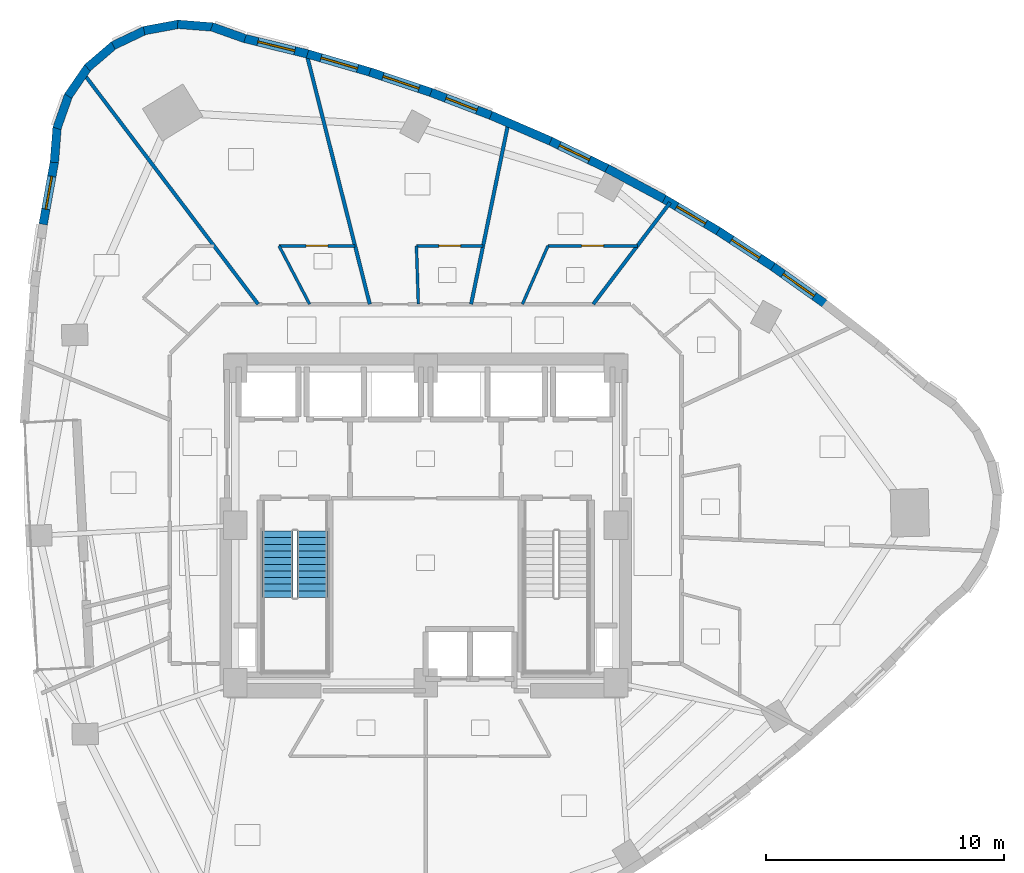
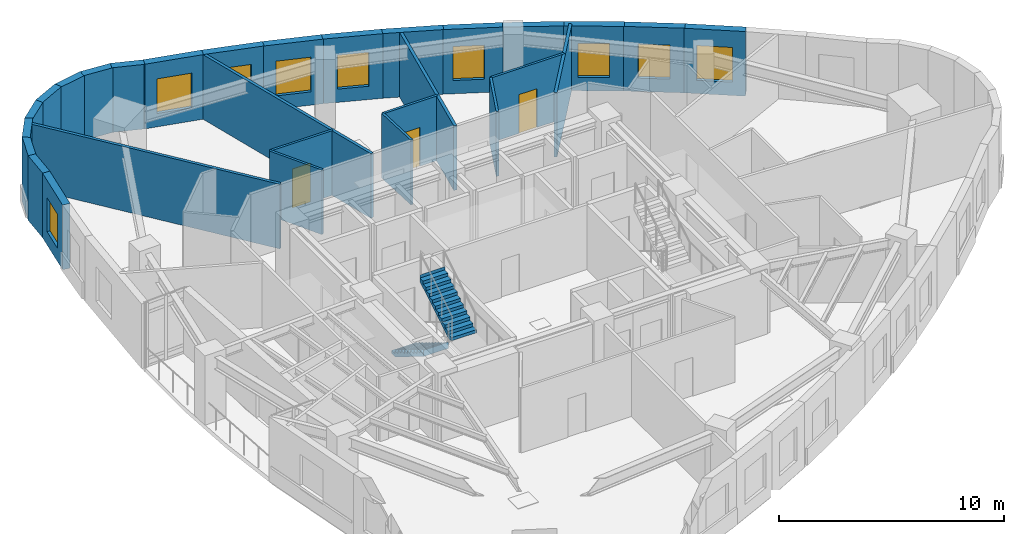
# One storey, part 8 of 12: 29 walls, 9 windows, 3 doors, 2 stair flights, 12 openings, 1 element without a shape of its own.
"""IFC4 building model written with IfcOpenShell, lengths in metres."""

from ifc_helpers import new_model, si_unit, direction, frame, frame_2d, origin, place, context, subcontext, project, spatial, polyline, rectangle, outline, extrude, material, layer, layer_set, type_object, element, fill, aggregate, save


model = new_model("IFC4")

# Units and contexts
model_context = context("Model", 3, precision=1e-05, world=origin(), true_north=direction((0.0, 1.0)))
body_context = subcontext(model_context, "Body", "Model", "MODEL_VIEW")
ifc_project = project(units=[si_unit("LENGTHUNIT", "METRE"), si_unit("AREAUNIT", "SQUARE_METRE"), si_unit("VOLUMEUNIT", "CUBIC_METRE"), si_unit("PLANEANGLEUNIT", "RADIAN"), si_unit("MASSUNIT", "GRAM", prefix="KILO")], contexts=[model_context])

# Site, building, storey
site_placement = place(None, origin())
site = spatial("IfcSite", under=ifc_project, at=site_placement, CompositionType="ELEMENT")
building_placement = place(site_placement, origin())
building = spatial("IfcBuilding", under=site, at=building_placement, Name="Ndelora Gate Hotel", CompositionType="ELEMENT")
storey_placement = place(building_placement, frame((0.0, 0.0, 131.0)))
storey = spatial("IfcBuildingStorey", under=building, at=storey_placement, Name="L32", CompositionType="ELEMENT", Elevation=131.0)

# Walls
ifc_material_1 = material(Name="Clay Brick Masonry", Category="masonry")
ifc_layer_1 = layer(ifc_material_1, 0.360107421875)
ifc_layer_set_1 = layer_set([ifc_layer_1], Name="Clay Brick Masonry")
wall_type_1 = type_object("IfcWallType", Name="WL-BRICK-360", PredefinedType="SOLIDWALL", material=ifc_layer_set_1)
for number, where, z_axis, x_axis, name in (
    (1, (-8.98876953125, 20.9541015625, 0.0), (0.0, 0.0, 1.0), (0.942671384708, -0.33372243025, 0.0), "L32 Tower Brick Pier-and-Spandrel Wall TWR-1"),
    (2, (-10.42138671875, 21.060546875, 0.0), (0.0, 0.0, 1.0), (0.996910688745, -0.078543482647, 0.0), "L32 Tower Brick Pier-and-Spandrel Wall TWR-2"),
):
    element("IfcWall", number, at=place(storey_placement, frame(where, z_axis=z_axis, x_axis=x_axis)), inside=storey, type_object=wall_type_1, Name=name, PredefinedType="SOLIDWALL", context=body_context, shape_type="SweptSolid", body=[
        extrude(rectangle(XDim=1.48583984375, YDim=0.360107421875, at=frame_2d((0.742919921875, 0.0))), origin(), (0.0, 0.0, 1.0), 3.5),
    ])
wall_1_placement = place(storey_placement, frame((-11.8330078125, 20.792236328125, 0.0), z_axis=(0.0, 0.0, 1.0), x_axis=(0.983262389335, 0.182195152844, 0.0)))
element("IfcWall", 3, at=wall_1_placement, inside=storey, type_object=wall_type_1, Name="L32 Tower Brick Pier-and-Spandrel Wall TWR-3", PredefinedType="SOLIDWALL", context=body_context, shape_type="SweptSolid", body=[
    extrude(rectangle(XDim=1.486083984375, YDim=0.360107421875, at=frame_2d((0.7431640625, 0.0))), origin(), (0.0, 0.0, 1.0), 3.5),
])
for number, where, z_axis, x_axis, name in (
    (4, (-13.126708984375, 20.16796875, 0.0), (0.0, 0.0, 1.0), (0.902586982789, 0.430507535938, 0.0), "L32 Tower Brick Pier-and-Spandrel Wall TWR-4"),
    (5, (-14.215087890625, 19.22998046875, 0.0), (0.0, 0.0, 1.0), (0.760461582144, 0.649382924078, 0.0), "L32 Tower Brick Pier-and-Spandrel Wall TWR-5"),
):
    element("IfcWall", number, at=place(storey_placement, frame(where, z_axis=z_axis, x_axis=x_axis)), inside=storey, type_object=wall_type_1, Name=name, PredefinedType="SOLIDWALL", context=body_context, shape_type="SweptSolid", body=[
        extrude(rectangle(XDim=1.48583984375, YDim=0.360107421875, at=frame_2d((0.742919921875, 0.0))), origin(), (0.0, 0.0, 1.0), 3.5),
    ])
wall_2_placement = place(storey_placement, frame((-15.0234375, 18.04248046875, 0.0), z_axis=(0.0, 0.0, 1.0), x_axis=(0.566438155808, 0.824104250472, 0.0)))
element("IfcWall", 6, at=wall_2_placement, inside=storey, type_object=wall_type_1, Name="L32 Tower Brick Pier-and-Spandrel Wall TWR-6", PredefinedType="SOLIDWALL", context=body_context, shape_type="SweptSolid", body=[
    extrude(rectangle(XDim=1.485595703125, YDim=0.360107421875, at=frame_2d((0.74267578125, 0.0))), origin(), (0.0, 0.0, 1.0), 3.5),
])
wall_3_placement = place(storey_placement, frame((-15.496826171875, 16.685791015625, 0.0), z_axis=(0.0, 0.0, 1.0), x_axis=(0.333670746008, 0.942689680254, 0.0)))
element("IfcWall", 7, at=wall_3_placement, inside=storey, type_object=wall_type_1, Name="L32 Tower Brick Pier-and-Spandrel Wall TWR-7", PredefinedType="SOLIDWALL", context=body_context, shape_type="SweptSolid", body=[
    extrude(rectangle(XDim=1.486083984375, YDim=0.360107421875, at=frame_2d((0.7431640625, 0.0))), origin(), (0.0, 0.0, 1.0), 3.5),
])
wall_4_placement = place(storey_placement, frame((-15.60302734375, 15.25341796875, 0.0), z_axis=(0.0, 0.0, 1.0), x_axis=(0.078393018091, 0.996922531952, 0.0)))
element("IfcWall", 8, at=wall_4_placement, inside=storey, type_object=wall_type_1, Name="L32 Tower Brick Pier-and-Spandrel Wall TWR-8", PredefinedType="SOLIDWALL", context=body_context, shape_type="SweptSolid", body=[
    extrude(rectangle(XDim=1.485595703125, YDim=0.360107421875, at=frame_2d((0.74267578125, 0.0))), origin(), (0.0, 0.0, 1.0), 3.5),
])

# Wall, opening, window
wall_5_placement = place(storey_placement, frame((-16.073486328125, 12.65380859375, 0.0), z_axis=(0.0, 0.0, 1.0), x_axis=(0.177152998315, 0.984183323974, 0.0)))
wall_5 = element("IfcWall", 9, at=wall_5_placement, inside=storey, type_object=wall_type_1, Name="L32 Tower Brick Pier-and-Spandrel Wall TWR-9", PredefinedType="SOLIDWALL", context=body_context, shape_type="SweptSolid", body=[
    extrude(rectangle(XDim=2.69140625, YDim=0.360107421875, at=frame_2d((1.345703125, 0.0))), origin(), (0.0, 0.0, 1.0), 3.5),
])
opening_1_placement = place(wall_5_placement, frame((0.64599609375, 0.0, 0.719970703125)))
opening_1 = element("IfcOpeningElement", 10, at=opening_1_placement, cuts=wall_5, Name="Opening W02", PredefinedType="OPENING", context=body_context, shape_type="SweptSolid", body=[
    extrude(rectangle(XDim=1.39990234375, YDim=1.840087890625, at=frame_2d((0.699951171875, 0.919921875))), frame((0.0, 0.18994140625, 0.0), z_axis=(0.0, -1.0, 0.0), x_axis=(1.0, 0.0, 0.0)), (0.0, 0.0, 1.0), 0.380126953125),
])
ifc_material_2 = material(Name="Insulated Low-E Double Glazing in Bronze Aluminium Frame", Category="aluminium")
window_type_1 = type_object("IfcWindowType", Name="WN-DEEP-1400", PartitioningType="SINGLE_PANEL", PredefinedType="WINDOW", material=ifc_material_2)
window_1_placement = place(opening_1_placement, origin())
window_1 = element("IfcWindow", 11, at=window_1_placement, inside=storey, type_object=window_type_1, Name="L32 Deep-Set Brick-Pier Window W02", OverallHeight=1.840087890625, OverallWidth=1.39990234375, PartitioningType="SINGLE_PANEL", PredefinedType="WINDOW", context=body_context, shape_type="SweptSolid", body=[
    extrude(rectangle(XDim=1.39990234375, YDim=1.840087890625, at=frame_2d((0.699951171875, 0.919921875))), frame((0.0, 0.030029296875, 0.0), z_axis=(0.0, -1.0, 0.0), x_axis=(1.0, 0.0, 0.0)), (0.0, 0.0, 1.0), 0.06005859375),
])
fill(opening_1, window_1)

wall_6_placement = place(storey_placement, frame((14.548583984375, 10.905029296875, 0.0), z_axis=(0.0, 0.0, 1.0), x_axis=(0.814510150839, -0.580149303352, 0.0)))
wall_6 = element("IfcWall", 12, at=wall_6_placement, inside=storey, type_object=wall_type_1, Name="L32 Tower Brick Pier-and-Spandrel Wall TWR-49", PredefinedType="SOLIDWALL", context=body_context, shape_type="SweptSolid", body=[
    extrude(rectangle(XDim=2.758544921875, YDim=0.360107421875, at=frame_2d((1.37939453125, 0.0))), origin(), (0.0, 0.0, 1.0), 3.5),
])
opening_2_placement = place(wall_6_placement, frame((0.5791015625, 0.0, 0.719970703125)))
opening_2 = element("IfcOpeningElement", 13, at=opening_2_placement, cuts=wall_6, Name="Opening W03", PredefinedType="OPENING", context=body_context, shape_type="SweptSolid", body=[
    extrude(rectangle(XDim=1.60009765625, YDim=1.8798828125, at=frame_2d((0.800048828125, 0.93994140625))), frame((0.0, 0.18994140625, 0.0), z_axis=(0.0, -1.0, 0.0), x_axis=(1.0, 0.0, 0.0)), (0.0, 0.0, 1.0), 0.380126953125),
])
window_type_2 = type_object("IfcWindowType", Name="WN-CORN-2100", PartitioningType="SINGLE_PANEL", PredefinedType="WINDOW", material=ifc_material_2)
window_2_placement = place(opening_2_placement, origin())
window_2 = element("IfcWindow", 14, at=window_2_placement, inside=storey, type_object=window_type_2, Name="L32 Deep-Set Brick-Pier Window W03", OverallHeight=1.8798828125, OverallWidth=1.60009765625, PartitioningType="SINGLE_PANEL", PredefinedType="WINDOW", context=body_context, shape_type="SweptSolid", body=[
    extrude(rectangle(XDim=1.60009765625, YDim=1.8798828125, at=frame_2d((0.800048828125, 0.93994140625))), frame((0.0, 0.030029296875, 0.0), z_axis=(0.0, -1.0, 0.0), x_axis=(1.0, 0.0, 0.0)), (0.0, 0.0, 1.0), 0.06005859375),
])
fill(opening_2, window_2)

wall_7_placement = place(storey_placement, frame((12.290283203125, 12.3740234375, 0.0), z_axis=(0.0, 0.0, 1.0), x_axis=(0.838077548848, -0.545551117785, 0.0)))
wall_7 = element("IfcWall", 15, at=wall_7_placement, inside=storey, type_object=wall_type_1, Name="L32 Tower Brick Pier-and-Spandrel Wall TWR-50", PredefinedType="SOLIDWALL", context=body_context, shape_type="SweptSolid", body=[
    extrude(rectangle(XDim=2.744140625, YDim=0.360107421875, at=frame_2d((1.3720703125, 0.0))), origin(), (0.0, 0.0, 1.0), 3.5),
])
opening_3_placement = place(wall_7_placement, frame((0.672119140625, 0.0, 0.719970703125)))
opening_3 = element("IfcOpeningElement", 16, at=opening_3_placement, cuts=wall_7, Name="Opening W02", PredefinedType="OPENING", context=body_context, shape_type="SweptSolid", body=[
    extrude(rectangle(XDim=1.39990234375, YDim=1.840087890625, at=frame_2d((0.699951171875, 0.919921875))), frame((0.0, 0.18994140625, 0.0), z_axis=(0.0, -1.0, 0.0), x_axis=(1.0, 0.0, 0.0)), (0.0, 0.0, 1.0), 0.380126953125),
])
window_3_placement = place(opening_3_placement, origin())
window_3 = element("IfcWindow", 17, at=window_3_placement, inside=storey, type_object=window_type_1, Name="L32 Deep-Set Brick-Pier Window W02", OverallHeight=1.840087890625, OverallWidth=1.39990234375, PartitioningType="SINGLE_PANEL", PredefinedType="WINDOW", context=body_context, shape_type="SweptSolid", body=[
    extrude(rectangle(XDim=1.39990234375, YDim=1.840087890625, at=frame_2d((0.699951171875, 0.919921875))), frame((0.0, 0.030029296875, 0.0), z_axis=(0.0, -1.0, 0.0), x_axis=(1.0, 0.0, 0.0)), (0.0, 0.0, 1.0), 0.06005859375),
])
fill(opening_3, window_3)

wall_8_placement = place(storey_placement, frame((9.980224609375, 13.741455078125, 0.0), z_axis=(0.0, 0.0, 1.0), x_axis=(0.860339389624, -0.509721624675, 0.0)))
wall_8 = element("IfcWall", 18, at=wall_8_placement, inside=storey, type_object=wall_type_1, Name="L32 Tower Brick Pier-and-Spandrel Wall TWR-51", PredefinedType="SOLIDWALL", context=body_context, shape_type="SweptSolid", body=[
    extrude(rectangle(XDim=2.734375, YDim=0.360107421875, at=frame_2d((1.3671875, 0.0))), origin(), (0.0, 0.0, 1.0), 3.5),
])
opening_4_placement = place(wall_8_placement, frame((0.667236328125, 0.0, 0.719970703125)))
opening_4 = element("IfcOpeningElement", 19, at=opening_4_placement, cuts=wall_8, Name="Opening W02", PredefinedType="OPENING", context=body_context, shape_type="SweptSolid", body=[
    extrude(rectangle(XDim=1.39990234375, YDim=1.840087890625, at=frame_2d((0.699951171875, 0.919921875))), frame((0.0, 0.18994140625, 0.0), z_axis=(0.0, -1.0, 0.0), x_axis=(1.0, 0.0, 0.0)), (0.0, 0.0, 1.0), 0.380126953125),
])
window_4_placement = place(opening_4_placement, origin())
window_4 = element("IfcWindow", 20, at=window_4_placement, inside=storey, type_object=window_type_1, Name="L32 Deep-Set Brick-Pier Window W02", OverallHeight=1.840087890625, OverallWidth=1.39990234375, PartitioningType="SINGLE_PANEL", PredefinedType="WINDOW", context=body_context, shape_type="SweptSolid", body=[
    extrude(rectangle(XDim=1.39990234375, YDim=1.840087890625, at=frame_2d((0.699951171875, 0.919921875))), frame((0.0, 0.030029296875, 0.0), z_axis=(0.0, -1.0, 0.0), x_axis=(1.0, 0.0, 0.0)), (0.0, 0.0, 1.0), 0.06005859375),
])
fill(opening_4, window_4)

# Wall
wall_9_placement = place(storey_placement, frame((7.61865234375, 15.007568359375, 0.0), z_axis=(0.0, 0.0, 1.0), x_axis=(0.881156632258, -0.472824480572, 0.0)))
element("IfcWall", 21, at=wall_9_placement, inside=storey, type_object=wall_type_1, Name="L32 Tower Brick Pier-and-Spandrel Wall TWR-52", PredefinedType="SOLIDWALL", context=body_context, shape_type="SweptSolid", body=[
    extrude(rectangle(XDim=2.7294921875, YDim=0.360107421875, at=frame_2d((1.36474609375, 0.0))), origin(), (0.0, 0.0, 1.0), 3.5),
])

# Wall, opening, window
wall_10_placement = place(storey_placement, frame((5.205322265625, 16.172119140625, 0.0), z_axis=(0.0, 0.0, 1.0), x_axis=(0.900444136685, -0.434971673458, 0.0)))
wall_10 = element("IfcWall", 22, at=wall_10_placement, inside=storey, type_object=wall_type_1, Name="L32 Tower Brick Pier-and-Spandrel Wall TWR-53", PredefinedType="SOLIDWALL", context=body_context, shape_type="SweptSolid", body=[
    extrude(rectangle(XDim=2.7294921875, YDim=0.360107421875, at=frame_2d((1.36474609375, 0.0))), origin(), (0.0, 0.0, 1.0), 3.5),
])
opening_5_placement = place(wall_10_placement, frame((0.4599609375, 0.0, 0.719970703125)))
opening_5 = element("IfcOpeningElement", 23, at=opening_5_placement, cuts=wall_10, Name="Opening W02", PredefinedType="OPENING", context=body_context, shape_type="SweptSolid", body=[
    extrude(rectangle(XDim=1.39990234375, YDim=1.840087890625, at=frame_2d((0.699951171875, 0.919921875))), frame((0.0, 0.18994140625, 0.0), z_axis=(0.0, -1.0, 0.0), x_axis=(1.0, 0.0, 0.0)), (0.0, 0.0, 1.0), 0.380126953125),
])
window_5_placement = place(opening_5_placement, origin())
window_5 = element("IfcWindow", 24, at=window_5_placement, inside=storey, type_object=window_type_1, Name="L32 Deep-Set Brick-Pier Window W02", OverallHeight=1.840087890625, OverallWidth=1.39990234375, PartitioningType="SINGLE_PANEL", PredefinedType="WINDOW", context=body_context, shape_type="SweptSolid", body=[
    extrude(rectangle(XDim=1.39990234375, YDim=1.840087890625, at=frame_2d((0.699951171875, 0.919921875))), frame((0.0, 0.030029296875, 0.0), z_axis=(0.0, -1.0, 0.0), x_axis=(1.0, 0.0, 0.0)), (0.0, 0.0, 1.0), 0.06005859375),
])
fill(opening_5, window_5)

# Wall
wall_11_placement = place(storey_placement, frame((2.740478515625, 17.235107421875, 0.0), z_axis=(0.0, 0.0, 1.0), x_axis=(0.918107397743, -0.396331687113, 0.0)))
element("IfcWall", 25, at=wall_11_placement, inside=storey, type_object=wall_type_1, Name="L32 Tower Brick Pier-and-Spandrel Wall TWR-54", PredefinedType="SOLIDWALL", context=body_context, shape_type="SweptSolid", body=[
    extrude(rectangle(XDim=2.734375, YDim=0.360107421875, at=frame_2d((1.3671875, 0.0))), origin(), (0.0, 0.0, 1.0), 3.5),
])

# Wall, opening, window
wall_12_placement = place(storey_placement, frame((0.223876953125, 18.19677734375, 0.0), z_axis=(0.0, 0.0, 1.0), x_axis=(0.933979359079, -0.357326960661, 0.0)))
wall_12 = element("IfcWall", 26, at=wall_12_placement, inside=storey, type_object=wall_type_1, Name="L32 Tower Brick Pier-and-Spandrel Wall TWR-55", PredefinedType="SOLIDWALL", context=body_context, shape_type="SweptSolid", body=[
    extrude(rectangle(XDim=2.743896484375, YDim=0.360107421875, at=frame_2d((1.3720703125, 0.0))), origin(), (0.0, 0.0, 1.0), 3.5),
])
opening_6_placement = place(wall_12_placement, frame((0.672119140625, 0.0, 0.719970703125)))
opening_6 = element("IfcOpeningElement", 27, at=opening_6_placement, cuts=wall_12, Name="Opening W02", PredefinedType="OPENING", context=body_context, shape_type="SweptSolid", body=[
    extrude(rectangle(XDim=1.39990234375, YDim=1.840087890625, at=frame_2d((0.699951171875, 0.919921875))), frame((0.0, 0.18994140625, 0.0), z_axis=(0.0, -1.0, 0.0), x_axis=(1.0, 0.0, 0.0)), (0.0, 0.0, 1.0), 0.380126953125),
])
window_6_placement = place(opening_6_placement, origin())
window_6 = element("IfcWindow", 28, at=window_6_placement, inside=storey, type_object=window_type_1, Name="L32 Deep-Set Brick-Pier Window W02", OverallHeight=1.840087890625, OverallWidth=1.39990234375, PartitioningType="SINGLE_PANEL", PredefinedType="WINDOW", context=body_context, shape_type="SweptSolid", body=[
    extrude(rectangle(XDim=1.39990234375, YDim=1.840087890625, at=frame_2d((0.699951171875, 0.919921875))), frame((0.0, 0.030029296875, 0.0), z_axis=(0.0, -1.0, 0.0), x_axis=(1.0, 0.0, 0.0)), (0.0, 0.0, 1.0), 0.06005859375),
])
fill(opening_6, window_6)

wall_13_placement = place(storey_placement, frame((-2.344482421875, 19.056884765625, 0.0), z_axis=(0.0, 0.0, 1.0), x_axis=(0.948124259455, -0.317899966393, 0.0)))
wall_13 = element("IfcWall", 29, at=wall_13_placement, inside=storey, type_object=wall_type_1, Name="L32 Tower Brick Pier-and-Spandrel Wall TWR-56", PredefinedType="SOLIDWALL", context=body_context, shape_type="SweptSolid", body=[
    extrude(rectangle(XDim=2.758544921875, YDim=0.360107421875, at=frame_2d((1.37939453125, 0.0))), origin(), (0.0, 0.0, 1.0), 3.5),
])
opening_7_placement = place(wall_13_placement, frame((0.579345703125, 0.0, 0.719970703125)))
opening_7 = element("IfcOpeningElement", 30, at=opening_7_placement, cuts=wall_13, Name="Opening W01", PredefinedType="OPENING", context=body_context, shape_type="SweptSolid", body=[
    extrude(rectangle(XDim=1.60009765625, YDim=1.8798828125, at=frame_2d((0.800048828125, 0.93994140625))), frame((0.0, 0.18994140625, 0.0), z_axis=(0.0, -1.0, 0.0), x_axis=(1.0, 0.0, 0.0)), (0.0, 0.0, 1.0), 0.380126953125),
])
window_type_3 = type_object("IfcWindowType", Name="WN-DEEP-1600", PartitioningType="SINGLE_PANEL", PredefinedType="WINDOW", material=ifc_material_2)
window_7_placement = place(opening_7_placement, origin())
window_7 = element("IfcWindow", 31, at=window_7_placement, inside=storey, type_object=window_type_3, Name="L32 Deep-Set Brick-Pier Window W01", OverallHeight=1.8798828125, OverallWidth=1.60009765625, PartitioningType="SINGLE_PANEL", PredefinedType="WINDOW", context=body_context, shape_type="SweptSolid", body=[
    extrude(rectangle(XDim=1.60009765625, YDim=1.8798828125, at=frame_2d((0.800048828125, 0.93994140625))), frame((0.0, 0.030029296875, 0.0), z_axis=(0.0, -1.0, 0.0), x_axis=(1.0, 0.0, 0.0)), (0.0, 0.0, 1.0), 0.06005859375),
])
fill(opening_7, window_7)

wall_14_placement = place(storey_placement, frame((-4.96435546875, 19.8154296875, 0.0), z_axis=(0.0, 0.0, 1.0), x_axis=(0.960441835692, -0.278480664056, 0.0)))
wall_14 = element("IfcWall", 32, at=wall_14_placement, inside=storey, type_object=wall_type_1, Name="L32 Tower Brick Pier-and-Spandrel Wall TWR-57", PredefinedType="SOLIDWALL", context=body_context, shape_type="SweptSolid", body=[
    extrude(rectangle(XDim=2.77734375, YDim=0.360107421875, at=frame_2d((1.388671875, 0.0))), origin(), (0.0, 0.0, 1.0), 3.5),
])
opening_8_placement = place(wall_14_placement, frame((0.588623046875, 0.0, 0.719970703125)))
opening_8 = element("IfcOpeningElement", 33, at=opening_8_placement, cuts=wall_14, Name="Opening W03", PredefinedType="OPENING", context=body_context, shape_type="SweptSolid", body=[
    extrude(rectangle(XDim=1.60009765625, YDim=1.8798828125, at=frame_2d((0.800048828125, 0.93994140625))), frame((0.0, 0.18994140625, 0.0), z_axis=(0.0, -1.0, 0.0), x_axis=(1.0, 0.0, 0.0)), (0.0, 0.0, 1.0), 0.380126953125),
])
window_8_placement = place(opening_8_placement, origin())
window_8 = element("IfcWindow", 34, at=window_8_placement, inside=storey, type_object=window_type_2, Name="L32 Deep-Set Brick-Pier Window W03", OverallHeight=1.8798828125, OverallWidth=1.60009765625, PartitioningType="SINGLE_PANEL", PredefinedType="WINDOW", context=body_context, shape_type="SweptSolid", body=[
    extrude(rectangle(XDim=1.60009765625, YDim=1.8798828125, at=frame_2d((0.800048828125, 0.93994140625))), frame((0.0, 0.030029296875, 0.0), z_axis=(0.0, -1.0, 0.0), x_axis=(1.0, 0.0, 0.0)), (0.0, 0.0, 1.0), 0.06005859375),
])
fill(opening_8, window_8)

wall_15_placement = place(storey_placement, frame((-7.635986328125, 20.472412109375, 0.0), z_axis=(0.0, 0.0, 1.0), x_axis=(0.970982505779, -0.239150524716, 0.0)))
wall_15 = element("IfcWall", 35, at=wall_15_placement, inside=storey, type_object=wall_type_1, Name="L32 Tower Brick Pier-and-Spandrel Wall TWR-58", PredefinedType="SOLIDWALL", context=body_context, shape_type="SweptSolid", body=[
    extrude(rectangle(XDim=2.80126953125, YDim=0.360107421875, at=frame_2d((1.400634765625, 0.0))), origin(), (0.0, 0.0, 1.0), 3.5),
])
opening_9_placement = place(wall_15_placement, frame((0.6005859375, 0.0, 0.719970703125)))
opening_9 = element("IfcOpeningElement", 36, at=opening_9_placement, cuts=wall_15, Name="Opening W01", PredefinedType="OPENING", context=body_context, shape_type="SweptSolid", body=[
    extrude(rectangle(XDim=1.60009765625, YDim=1.8798828125, at=frame_2d((0.800048828125, 0.93994140625))), frame((0.0, 0.18994140625, 0.0), z_axis=(0.0, -1.0, 0.0), x_axis=(1.0, 0.0, 0.0)), (0.0, 0.0, 1.0), 0.380126953125),
])
window_9_placement = place(opening_9_placement, origin())
window_9 = element("IfcWindow", 37, at=window_9_placement, inside=storey, type_object=window_type_3, Name="L32 Deep-Set Brick-Pier Window W01", OverallHeight=1.8798828125, OverallWidth=1.60009765625, PartitioningType="SINGLE_PANEL", PredefinedType="WINDOW", context=body_context, shape_type="SweptSolid", body=[
    extrude(rectangle(XDim=1.60009765625, YDim=1.8798828125, at=frame_2d((0.800048828125, 0.93994140625))), frame((0.0, 0.030029296875, 0.0), z_axis=(0.0, -1.0, 0.0), x_axis=(1.0, 0.0, 0.0)), (0.0, 0.0, 1.0), 0.06005859375),
])
fill(opening_9, window_9)

# Walls
ifc_material_3 = material(Name="Fire-Rated Gypsum Stud Partition", Category="gypsum")
ifc_layer_2 = layer(ifc_material_3, 0.14990234375)
ifc_layer_set_2 = layer_set([ifc_layer_2], Name="Fire-Rated Gypsum Stud Partition")
wall_type_2 = type_object("IfcWallType", Name="WL-PART-150", PredefinedType="PARTITIONING", material=ifc_layer_set_2)
wall_16_placement = place(storey_placement, frame((7.040283203125, 9.300048828125, 0.0), z_axis=(0.0, 0.0, 1.0), x_axis=(0.603561778398, 0.797316235667, 0.0)))
element("IfcWall", 38, at=wall_16_placement, inside=storey, type_object=wall_type_2, Name="L32 Interior Wall IW-5", PredefinedType="PARTITIONING", context=body_context, shape_type="SweptSolid", body=[
    extrude(rectangle(XDim=5.35400390625, YDim=0.14990234375, at=frame_2d((2.677001953125, 0.0))), origin(), (0.0, 0.0, 1.0), 3.5),
])
wall_17_placement = place(storey_placement, frame((1.91015625, 9.300048828125, 0.0), z_axis=(0.0, 0.0, 1.0), x_axis=(0.201190538841, 0.97955212576, 0.0)))
element("IfcWall", 39, at=wall_17_placement, inside=storey, type_object=wall_type_2, Name="L32 Interior Wall IW-5", PredefinedType="PARTITIONING", context=body_context, shape_type="SweptSolid", body=[
    extrude(rectangle(XDim=7.777099609375, YDim=0.14990234375, at=frame_2d((3.888671875, 0.0))), origin(), (0.0, 0.0, 1.0), 3.5),
])
wall_18_placement = place(storey_placement, frame((-2.348388671875, 9.300048828125, 0.0), z_axis=(0.0, 0.0, 1.0), x_axis=(-0.244821157428, 0.969568254882, 0.0)))
element("IfcWall", 40, at=wall_18_placement, inside=storey, type_object=wall_type_2, Name="L32 Interior Wall IW-5", PredefinedType="PARTITIONING", context=body_context, shape_type="SweptSolid", body=[
    extrude(rectangle(XDim=10.854736328125, YDim=0.14990234375, at=frame_2d((5.42724609375, 0.0))), origin(), (0.0, 0.0, 1.0), 3.5),
])
wall_19_placement = place(storey_placement, frame((-7.040283203125, 9.300048828125, 0.0), z_axis=(0.0, 0.0, 1.0), x_axis=(-0.603569047372, 0.797310733061, 0.0)))
element("IfcWall", 41, at=wall_19_placement, inside=storey, type_object=wall_type_2, Name="L32 Interior Wall IW-5", PredefinedType="PARTITIONING", context=body_context, shape_type="SweptSolid", body=[
    extrude(rectangle(XDim=12.150146484375, YDim=0.14990234375, at=frame_2d((6.0751953125, 0.0))), origin(), (0.0, 0.0, 1.0), 3.5),
])
ifc_material_4 = material(Name="Moisture-Resistant Bathroom Tile Partition", Category="gypsum")
ifc_layer_3 = layer(ifc_material_4, 0.1201171875)
ifc_layer_set_3 = layer_set([ifc_layer_3], Name="Moisture-Resistant Bathroom Tile Partition")
wall_type_3 = type_object("IfcWallType", Name="WL-WET-120", PredefinedType="PARTITIONING", material=ifc_layer_set_3)
wall_20_placement = place(storey_placement, frame((4.068115234375, 9.300048828125, 0.0), z_axis=(0.0, 0.0, 1.0), x_axis=(0.400794887066, 0.916167811322, 0.0)))
element("IfcWall", 42, at=wall_20_placement, inside=storey, type_object=wall_type_3, Name="L32 Interior Wall IW-7", PredefinedType="PARTITIONING", context=body_context, shape_type="SweptSolid", body=[
    extrude(rectangle(XDim=2.674072265625, YDim=0.1201171875, at=frame_2d((1.3369140625, 0.0))), origin(), (0.0, 0.0, 1.0), 3.5),
])

# Wall, opening, door
wall_21_placement = place(storey_placement, frame((5.139892578125, 11.75, 0.0), z_axis=(0.0, 0.0, 1.0), x_axis=(1.0, 0.0, 0.0)))
wall_21 = element("IfcWall", 43, at=wall_21_placement, inside=storey, type_object=wall_type_3, Name="L32 Interior Wall IW-7", PredefinedType="PARTITIONING", context=body_context, shape_type="SweptSolid", body=[
    extrude(rectangle(XDim=3.755126953125, YDim=0.1201171875, at=frame_2d((1.87744140625, 0.0))), origin(), (0.0, 0.0, 1.0), 3.5),
])
opening_10_placement = place(wall_21_placement, frame((1.41748046875, 0.0, 0.0)))
opening_10 = element("IfcOpeningElement", 44, at=opening_10_placement, cuts=wall_21, Name="Opening D03", PredefinedType="OPENING", context=body_context, shape_type="SweptSolid", body=[
    extrude(rectangle(XDim=0.919921875, YDim=2.10009765625, at=frame_2d((0.4599609375, 1.050048828125))), frame((0.0, 0.070068359375, 0.0), z_axis=(0.0, -1.0, 0.0), x_axis=(1.0, 0.0, 0.0)), (0.0, 0.0, 1.0), 0.14013671875),
])
ifc_material_5 = material(Name="Moisture-Resistant Hardwood En-Suite Door", Category="wood")
door_type = type_object("IfcDoorType", Name="DR-BATH-920", OperationType="SINGLE_SWING_LEFT", PredefinedType="DOOR", material=ifc_material_5)
door_1_placement = place(opening_10_placement, origin())
door_1 = element("IfcDoor", 45, at=door_1_placement, inside=storey, type_object=door_type, Name="L32 En-suite Bathroom 3506 Door", OperationType="SINGLE_SWING_LEFT", OverallHeight=2.10009765625, OverallWidth=0.919921875, PredefinedType="DOOR", context=body_context, shape_type="SweptSolid", body=[
    extrude(rectangle(XDim=0.919921875, YDim=2.10009765625, at=frame_2d((0.4599609375, 1.050048828125))), frame((0.0, 0.02490234375, 0.0), z_axis=(0.0, -1.0, 0.0), x_axis=(1.0, 0.0, 0.0)), (0.0, 0.0, 1.0), 0.050048828125),
])
fill(opening_10, door_1)

# Wall
wall_22_placement = place(storey_placement, frame((-0.3076171875, 9.300048828125, 0.0), z_axis=(0.0, 0.0, 1.0), x_axis=(-0.032966625408, 0.999456453083, 0.0)))
element("IfcWall", 46, at=wall_22_placement, inside=storey, type_object=wall_type_3, Name="L32 Interior Wall IW-7", PredefinedType="PARTITIONING", context=body_context, shape_type="SweptSolid", body=[
    extrude(rectangle(XDim=2.451171875, YDim=0.1201171875, at=frame_2d((1.2255859375, 0.0))), origin(), (0.0, 0.0, 1.0), 3.5),
])

# Wall, opening, door
wall_23_placement = place(storey_placement, frame((-0.388427734375, 11.75, 0.0), z_axis=(0.0, 0.0, 1.0), x_axis=(1.0, 0.0, 0.0)))
wall_23 = element("IfcWall", 47, at=wall_23_placement, inside=storey, type_object=wall_type_3, Name="L32 Interior Wall IW-7", PredefinedType="PARTITIONING", context=body_context, shape_type="SweptSolid", body=[
    extrude(rectangle(XDim=2.8017578125, YDim=0.1201171875, at=frame_2d((1.40087890625, 0.0))), origin(), (0.0, 0.0, 1.0), 3.5),
])
opening_11_placement = place(wall_23_placement, frame((0.94091796875, 0.0, 0.0)))
opening_11 = element("IfcOpeningElement", 48, at=opening_11_placement, cuts=wall_23, Name="Opening D03", PredefinedType="OPENING", context=body_context, shape_type="SweptSolid", body=[
    extrude(rectangle(XDim=0.919921875, YDim=2.10009765625, at=frame_2d((0.4599609375, 1.050048828125))), frame((0.0, 0.070068359375, 0.0), z_axis=(0.0, -1.0, 0.0), x_axis=(1.0, 0.0, 0.0)), (0.0, 0.0, 1.0), 0.14013671875),
])
door_2_placement = place(opening_11_placement, origin())
door_2 = element("IfcDoor", 49, at=door_2_placement, inside=storey, type_object=door_type, Name="L32 En-suite Bathroom 3507 Door", OperationType="SINGLE_SWING_RIGHT", OverallHeight=2.10009765625, OverallWidth=0.919921875, PredefinedType="DOOR", context=body_context, shape_type="SweptSolid", body=[
    extrude(rectangle(XDim=0.919921875, YDim=2.10009765625, at=frame_2d((0.4599609375, 1.050048828125))), frame((0.0, 0.02490234375, 0.0), z_axis=(0.0, -1.0, 0.0), x_axis=(1.0, 0.0, 0.0)), (0.0, 0.0, 1.0), 0.050048828125),
])
fill(opening_11, door_2)

# Wall
wall_24_placement = place(storey_placement, frame((-6.161376953125, 11.75, 0.0), z_axis=(0.0, 0.0, 1.0), x_axis=(0.464392787292, -0.885629346347, 0.0)))
element("IfcWall", 50, at=wall_24_placement, inside=storey, type_object=wall_type_3, Name="L32 Interior Wall IW-7", PredefinedType="PARTITIONING", context=body_context, shape_type="SweptSolid", body=[
    extrude(rectangle(XDim=2.766357421875, YDim=0.1201171875, at=frame_2d((1.38330078125, 0.0))), origin(), (0.0, 0.0, 1.0), 3.5),
])

# Wall, opening, door
wall_25_placement = place(storey_placement, frame((-6.161376953125, 11.75, 0.0), z_axis=(0.0, 0.0, 1.0), x_axis=(1.0, 0.0, 0.0)))
wall_25 = element("IfcWall", 51, at=wall_25_placement, inside=storey, type_object=wall_type_3, Name="L32 Interior Wall IW-7", PredefinedType="PARTITIONING", context=body_context, shape_type="SweptSolid", body=[
    extrude(rectangle(XDim=3.1943359375, YDim=0.1201171875, at=frame_2d((1.59716796875, 0.0))), origin(), (0.0, 0.0, 1.0), 3.5),
])
opening_12_placement = place(wall_25_placement, frame((1.13720703125, 0.0, 0.0)))
opening_12 = element("IfcOpeningElement", 52, at=opening_12_placement, cuts=wall_25, Name="Opening D03", PredefinedType="OPENING", context=body_context, shape_type="SweptSolid", body=[
    extrude(rectangle(XDim=0.919921875, YDim=2.10009765625, at=frame_2d((0.4599609375, 1.050048828125))), frame((0.0, 0.070068359375, 0.0), z_axis=(0.0, -1.0, 0.0), x_axis=(1.0, 0.0, 0.0)), (0.0, 0.0, 1.0), 0.14013671875),
])
door_3_placement = place(opening_12_placement, origin())
door_3 = element("IfcDoor", 53, at=door_3_placement, inside=storey, type_object=door_type, Name="L32 En-suite Bathroom 3508 Door", OperationType="SINGLE_SWING_LEFT", OverallHeight=2.10009765625, OverallWidth=0.919921875, PredefinedType="DOOR", context=body_context, shape_type="SweptSolid", body=[
    extrude(rectangle(XDim=0.919921875, YDim=2.10009765625, at=frame_2d((0.4599609375, 1.050048828125))), frame((0.0, 0.02490234375, 0.0), z_axis=(0.0, -1.0, 0.0), x_axis=(1.0, 0.0, 0.0)), (0.0, 0.0, 1.0), 0.050048828125),
])
fill(opening_12, door_3)

# Stair, stair flights
ifc_material_6 = material(Name="Precast concrete C40/50", Category="concrete")
stair_type = type_object("IfcStairType", Name="STR-DOG-CORE", PredefinedType="HALF_TURN_STAIR", material=ifc_material_6)
stair_placement = place(storey_placement, origin())
stair = element("IfcStair", 54, at=stair_placement, inside=storey, type_object=stair_type, Name="L32 Protected Core Exit Stair ST4", PredefinedType="HALF_TURN_STAIR")
stair_flight_type = type_object("IfcStairFlightType", Name="STF-PRECAST", PredefinedType="STRAIGHT", material=ifc_material_6)
stair_flight_1_placement = place(storey_placement, frame((-6.2099609375, -0.22998046875, 0.0), z_axis=(0.0, 0.0, 1.0), x_axis=(0.0, -1.0, 0.0)))
stair_flight_1 = element("IfcStairFlight", 55, at=stair_flight_1_placement, type_object=stair_flight_type, Name="ST4 flight 1", NumberOfRisers=11, NumberOfTreads=10, PredefinedType="STRAIGHT", RiserHeight=0.170454545, TreadLength=0.28, context=body_context, shape_type="SweptSolid", body=[
    extrude(outline(polyline([(-0.00048828125, 0.0), (-0.00048828125, 0.17041015625), (0.0, 0.17041015625), (0.280029296875, 0.17041015625), (0.280029296875, 0.3408203125), (0.56005859375, 0.3408203125), (0.56005859375, 0.511474609375), (0.840087890625, 0.511474609375), (0.840087890625, 0.681884765625), (1.1201171875, 0.681884765625), (1.1201171875, 0.852294921875), (1.39990234375, 0.852294921875), (1.39990234375, 1.022705078125), (1.679931640625, 1.022705078125), (1.679931640625, 1.193115234375), (1.9599609375, 1.193115234375), (1.9599609375, 1.363525390625), (2.239990234375, 1.363525390625), (2.239990234375, 1.5341796875), (2.52001953125, 1.5341796875), (2.52001953125, 1.70458984375), (2.800048828125, 1.70458984375), (2.800048828125, 1.875), (2.800537109375, 1.875), (2.800537109375, 1.695068359375), (2.800048828125, 1.529052734375), (0.288330078125, 0.0), (-0.00048828125, 0.0)])), frame((0.0, 0.64013671875, 0.0), z_axis=(0.0, -1.0, 0.0), x_axis=(1.0, 0.0, 0.0)), (0.0, 0.0, 1.0), 1.280029296875),
])
stair_flight_2_placement = place(storey_placement, frame((-4.77001953125, -3.030029296875, 1.875), z_axis=(0.0, 0.0, 1.0), x_axis=(0.0, 1.0, 0.0)))
stair_flight_2 = element("IfcStairFlight", 56, at=stair_flight_2_placement, type_object=stair_flight_type, Name="ST4 flight 2", NumberOfRisers=11, NumberOfTreads=10, PredefinedType="STRAIGHT", RiserHeight=0.170454545, TreadLength=0.28, context=body_context, shape_type="SweptSolid", body=[
    extrude(outline(polyline([(-0.00048828125, 0.0), (-0.00048828125, 0.17041015625), (0.0, 0.17041015625), (0.280029296875, 0.17041015625), (0.280029296875, 0.3408203125), (0.56005859375, 0.3408203125), (0.56005859375, 0.511474609375), (0.840087890625, 0.511474609375), (0.840087890625, 0.681884765625), (1.1201171875, 0.681884765625), (1.1201171875, 0.852294921875), (1.39990234375, 0.852294921875), (1.39990234375, 1.022705078125), (1.679931640625, 1.022705078125), (1.679931640625, 1.193115234375), (1.9599609375, 1.193115234375), (1.9599609375, 1.363525390625), (2.239990234375, 1.363525390625), (2.239990234375, 1.5341796875), (2.52001953125, 1.5341796875), (2.52001953125, 1.70458984375), (2.800048828125, 1.70458984375), (2.800048828125, 1.875), (2.800537109375, 1.875), (2.800537109375, 1.695068359375), (2.800048828125, 1.529052734375), (0.288330078125, 0.0), (-0.00048828125, 0.0)])), frame((0.0, 0.64013671875, 0.0), z_axis=(0.0, -1.0, 0.0), x_axis=(1.0, 0.0, 0.0)), (0.0, 0.0, 1.0), 1.280029296875),
])
aggregate(stair, [stair_flight_1, stair_flight_2])

save(model, "model.ifc")
